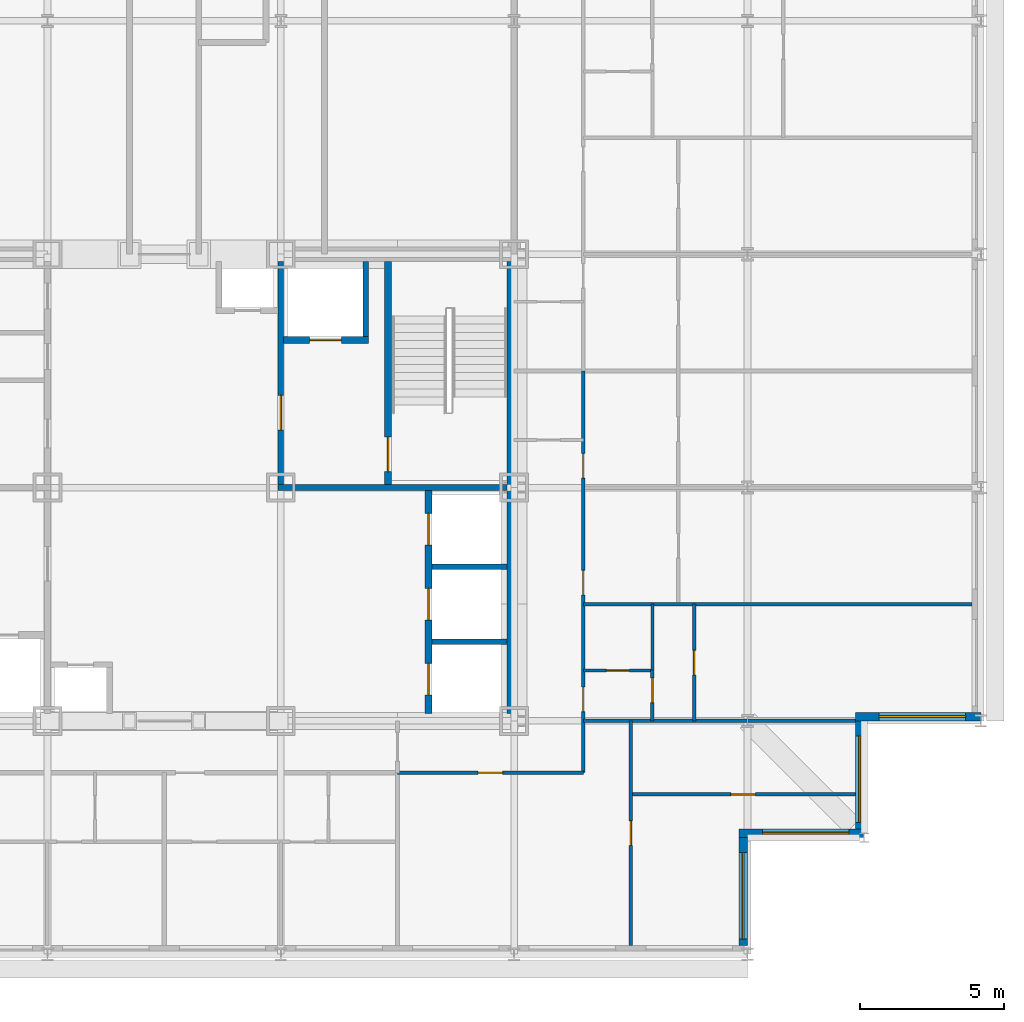
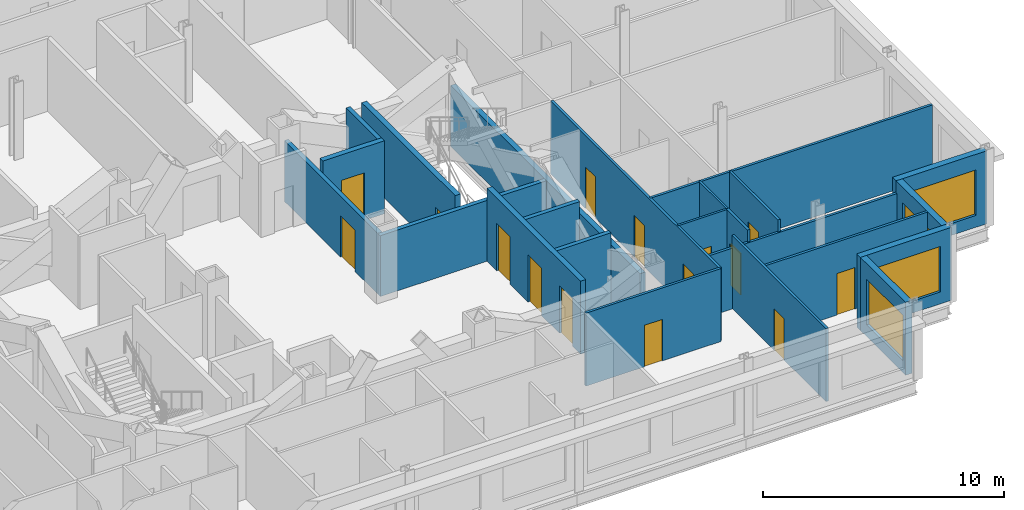
# One storey, part 10 of 15: 23 walls, 15 doors, 4 windows, 19 openings.
"""IFC4 building model written with IfcOpenShell, lengths in metres."""

from ifc_helpers import new_model, si_unit, direction, frame, frame_2d, origin, place, context, subcontext, project, spatial, rectangle, extrude, material, layer, layer_set, type_object, element, fill, save


model = new_model("IFC4")

# Units and contexts
model_context = context("Model", 3, precision=1e-05, world=origin(), true_north=direction((0.0, 1.0)))
body_context = subcontext(model_context, "Body", "Model", "MODEL_VIEW")
ifc_project = project(units=[si_unit("LENGTHUNIT", "METRE"), si_unit("AREAUNIT", "SQUARE_METRE"), si_unit("VOLUMEUNIT", "CUBIC_METRE"), si_unit("PLANEANGLEUNIT", "RADIAN"), si_unit("MASSUNIT", "GRAM", prefix="KILO")], contexts=[model_context])

# Site, building, storey
site_placement = place(None, origin())
site = spatial("IfcSite", under=ifc_project, at=site_placement, CompositionType="ELEMENT")
building_placement = place(site_placement, origin())
building = spatial("IfcBuilding", under=site, at=building_placement, Name="Kopane Lantern Tower", CompositionType="ELEMENT")
storey_placement = place(building_placement, frame((0.0, 0.0, 254.10009765625)))
storey = spatial("IfcBuildingStorey", under=building, at=storey_placement, Name="L65", CompositionType="ELEMENT", Elevation=254.10009765625)

# Wall, openings, doors
ifc_material_1 = material(Name="Gypsum board on steel studs", Category="steel")
ifc_layer_1 = layer(ifc_material_1, 0.1201171875)
ifc_layer_set_1 = layer_set([ifc_layer_1], Name="APARTMENT INTERNAL WALL 120")
wall_type_1 = type_object("IfcWallType", Name="APARTMENT INTERNAL WALL 120", PredefinedType="PARTITIONING", material=ifc_layer_set_1)
wall_1_placement = place(storey_placement, frame((42.89990234375, 22.5, 0.0), z_axis=(0.0, 0.0, 1.0), x_axis=(0.0, 1.0, 0.0)))
wall_1 = element("IfcWall", 1, at=wall_1_placement, inside=storey, type_object=wall_type_1, Name="Apartment Internal Wall 120 L65", PredefinedType="PARTITIONING", context=body_context, shape_type="SweptSolid", body=[
    extrude(rectangle(XDim=13.949951171875, YDim=0.1201171875, at=frame_2d((6.97509765625, 0.0))), origin(), (0.0, 0.0, 1.0), 3.68994140625),
])
opening_1_placement = place(wall_1_placement, frame((2.125, 0.0, 0.0)))
opening_1 = element("IfcOpeningElement", 2, at=opening_1_placement, cuts=wall_1, Name="Opening L65-048", PredefinedType="OPENING", context=body_context, shape_type="SweptSolid", body=[
    extrude(rectangle(XDim=0.85009765625, YDim=2.10009765625, at=frame_2d((0.425048828125, 1.050048828125))), frame((0.0, 0.070068359375, 0.0), z_axis=(0.0, -1.0, 0.0), x_axis=(1.0, 0.0, 0.0)), (0.0, 0.0, 1.0), 0.14013671875),
])
opening_2_placement = place(wall_1_placement, frame((6.175048828125, 0.0, 0.0)))
opening_2 = element("IfcOpeningElement", 3, at=opening_2_placement, cuts=wall_1, Name="Opening L65-049", PredefinedType="OPENING", context=body_context, shape_type="SweptSolid", body=[
    extrude(rectangle(XDim=0.85009765625, YDim=2.10009765625, at=frame_2d((0.425048828125, 1.050048828125))), frame((0.0, 0.070068359375, 0.0), z_axis=(0.0, -1.0, 0.0), x_axis=(1.0, 0.0, 0.0)), (0.0, 0.0, 1.0), 0.14013671875),
])
opening_3_placement = place(wall_1_placement, frame((10.22509765625, 0.0, 0.0)))
opening_3 = element("IfcOpeningElement", 4, at=opening_3_placement, cuts=wall_1, Name="Opening L65-050", PredefinedType="OPENING", context=body_context, shape_type="SweptSolid", body=[
    extrude(rectangle(XDim=0.85009765625, YDim=2.10009765625, at=frame_2d((0.425048828125, 1.050048828125))), frame((0.0, 0.070068359375, 0.0), z_axis=(0.0, -1.0, 0.0), x_axis=(1.0, 0.0, 0.0)), (0.0, 0.0, 1.0), 0.14013671875),
])
ifc_material_2 = material(Name="Timber door set", Category="wood")
door_type_1 = type_object("IfcDoorType", Name="DOOR D4 850x2100", OperationType="SINGLE_SWING_LEFT", PredefinedType="DOOR", material=ifc_material_2)
door_1_placement = place(opening_1_placement, origin())
door_1 = element("IfcDoor", 5, at=door_1_placement, inside=storey, type_object=door_type_1, Name="Door L65-048", OperationType="SINGLE_SWING_RIGHT", OverallHeight=2.10009765625, OverallWidth=0.85009765625, PredefinedType="DOOR", context=body_context, shape_type="SweptSolid", body=[
    extrude(rectangle(XDim=0.85009765625, YDim=2.10009765625, at=frame_2d((0.425048828125, 1.050048828125))), frame((0.0, 0.02490234375, 0.0), z_axis=(0.0, -1.0, 0.0), x_axis=(1.0, 0.0, 0.0)), (0.0, 0.0, 1.0), 0.050048828125),
])
fill(opening_1, door_1)
door_2_placement = place(opening_2_placement, origin())
door_2 = element("IfcDoor", 6, at=door_2_placement, inside=storey, type_object=door_type_1, Name="Door L65-049", OperationType="SINGLE_SWING_RIGHT", OverallHeight=2.10009765625, OverallWidth=0.85009765625, PredefinedType="DOOR", context=body_context, shape_type="SweptSolid", body=[
    extrude(rectangle(XDim=0.85009765625, YDim=2.10009765625, at=frame_2d((0.425048828125, 1.050048828125))), frame((0.0, 0.02490234375, 0.0), z_axis=(0.0, -1.0, 0.0), x_axis=(1.0, 0.0, 0.0)), (0.0, 0.0, 1.0), 0.050048828125),
])
fill(opening_2, door_2)
door_3_placement = place(opening_3_placement, origin())
door_3 = element("IfcDoor", 7, at=door_3_placement, inside=storey, type_object=door_type_1, Name="Door L65-050", OperationType="SINGLE_SWING_RIGHT", OverallHeight=2.10009765625, OverallWidth=0.85009765625, PredefinedType="DOOR", context=body_context, shape_type="SweptSolid", body=[
    extrude(rectangle(XDim=0.85009765625, YDim=2.10009765625, at=frame_2d((0.425048828125, 1.050048828125))), frame((0.0, 0.02490234375, 0.0), z_axis=(0.0, -1.0, 0.0), x_axis=(1.0, 0.0, 0.0)), (0.0, 0.0, 1.0), 0.050048828125),
])
fill(opening_3, door_3)

# Wall, opening, door
wall_2_placement = place(storey_placement, frame((36.449951171875, 22.5, 0.0), z_axis=(0.0, 0.0, 1.0), x_axis=(1.0, 0.0, 0.0)))
wall_2 = element("IfcWall", 8, at=wall_2_placement, inside=storey, type_object=wall_type_1, Name="Apartment Internal Wall 120 L65", PredefinedType="PARTITIONING", context=body_context, shape_type="SweptSolid", body=[
    extrude(rectangle(XDim=6.449951171875, YDim=0.1201171875, at=frame_2d((3.22509765625, 0.0))), origin(), (0.0, 0.0, 1.0), 3.68994140625),
])
opening_4_placement = place(wall_2_placement, frame((2.800048828125, 0.0, 0.0)))
opening_4 = element("IfcOpeningElement", 9, at=opening_4_placement, cuts=wall_2, Name="Opening L65-045", PredefinedType="OPENING", context=body_context, shape_type="SweptSolid", body=[
    extrude(rectangle(XDim=0.85009765625, YDim=2.10009765625, at=frame_2d((0.425048828125, 1.050048828125))), frame((0.0, 0.070068359375, 0.0), z_axis=(0.0, -1.0, 0.0), x_axis=(1.0, 0.0, 0.0)), (0.0, 0.0, 1.0), 0.14013671875),
])
door_4_placement = place(opening_4_placement, origin())
door_4 = element("IfcDoor", 10, at=door_4_placement, inside=storey, type_object=door_type_1, Name="Door L65-045", OperationType="SINGLE_SWING_RIGHT", OverallHeight=2.10009765625, OverallWidth=0.85009765625, PredefinedType="DOOR", context=body_context, shape_type="SweptSolid", body=[
    extrude(rectangle(XDim=0.85009765625, YDim=2.10009765625, at=frame_2d((0.425048828125, 1.050048828125))), frame((0.0, 0.02490234375, 0.0), z_axis=(0.0, -1.0, 0.0), x_axis=(1.0, 0.0, 0.0)), (0.0, 0.0, 1.0), 0.050048828125),
])
fill(opening_4, door_4)

# Wall
wall_3_placement = place(storey_placement, frame((42.89990234375, 24.300048828125, 0.0), z_axis=(0.0, 0.0, 1.0), x_axis=(1.0, 0.0, 0.0)))
element("IfcWall", 11, at=wall_3_placement, inside=storey, type_object=wall_type_1, Name="Apartment Internal Wall 120 L65", PredefinedType="PARTITIONING", context=body_context, shape_type="SweptSolid", body=[
    extrude(rectangle(XDim=9.4501953125, YDim=0.1201171875, at=frame_2d((4.72509765625, 0.0))), origin(), (0.0, 0.0, 1.0), 3.07763671875),
])

# Wall, opening, door
wall_4_placement = place(storey_placement, frame((44.550048828125, 16.5, 0.0), z_axis=(0.0, 0.0, 1.0), x_axis=(0.0, 1.0, 0.0)))
wall_4 = element("IfcWall", 12, at=wall_4_placement, inside=storey, type_object=wall_type_1, Name="Apartment Internal Wall 120 L65", PredefinedType="PARTITIONING", context=body_context, shape_type="SweptSolid", body=[
    extrude(rectangle(XDim=7.800048828125, YDim=0.1201171875, at=frame_2d((3.89990234375, 0.0))), origin(), (0.0, 0.0, 1.0), 3.68994140625),
])
opening_5_placement = place(wall_4_placement, frame((3.47509765625, 0.0, 0.0)))
opening_5 = element("IfcOpeningElement", 13, at=opening_5_placement, cuts=wall_4, Name="Opening L65-046", PredefinedType="OPENING", context=body_context, shape_type="SweptSolid", body=[
    extrude(rectangle(XDim=0.85009765625, YDim=2.10009765625, at=frame_2d((0.425048828125, 1.050048828125))), frame((0.0, 0.070068359375, 0.0), z_axis=(0.0, -1.0, 0.0), x_axis=(1.0, 0.0, 0.0)), (0.0, 0.0, 1.0), 0.14013671875),
])
door_5_placement = place(opening_5_placement, origin())
door_5 = element("IfcDoor", 14, at=door_5_placement, inside=storey, type_object=door_type_1, Name="Door L65-046", OperationType="SINGLE_SWING_LEFT", OverallHeight=2.10009765625, OverallWidth=0.85009765625, PredefinedType="DOOR", context=body_context, shape_type="SweptSolid", body=[
    extrude(rectangle(XDim=0.85009765625, YDim=2.10009765625, at=frame_2d((0.425048828125, 1.050048828125))), frame((0.0, 0.02490234375, 0.0), z_axis=(0.0, -1.0, 0.0), x_axis=(1.0, 0.0, 0.0)), (0.0, 0.0, 1.0), 0.050048828125),
])
fill(opening_5, door_5)

# Wall
wall_5_placement = place(storey_placement, frame((42.89990234375, 28.35009765625, 0.0), z_axis=(0.0, 0.0, 1.0), x_axis=(1.0, 0.0, 0.0)))
element("IfcWall", 15, at=wall_5_placement, inside=storey, type_object=wall_type_1, Name="Apartment Internal Wall 120 L65", PredefinedType="PARTITIONING", context=body_context, shape_type="SweptSolid", body=[
    extrude(rectangle(XDim=13.5, YDim=0.1201171875, at=frame_2d((6.75, 0.0))), origin(), (0.0, 0.0, 1.0), 3.68994140625),
])

# Wall, opening, door
wall_6_placement = place(storey_placement, frame((45.300048828125, 24.300048828125, 0.0), z_axis=(0.0, 0.0, 1.0), x_axis=(0.0, 1.0, 0.0)))
wall_6 = element("IfcWall", 16, at=wall_6_placement, inside=storey, type_object=wall_type_1, Name="Apartment Internal Wall 120 L65", PredefinedType="PARTITIONING", context=body_context, shape_type="SweptSolid", body=[
    extrude(rectangle(XDim=1.760009765625, YDim=0.1201171875, at=frame_2d((0.8798828125, 0.0))), origin(), (0.0, 0.0, 1.0), 3.68994140625),
])
opening_6_placement = place(wall_6_placement, frame((0.635009765625, 0.0, 0.0)))
opening_6 = element("IfcOpeningElement", 17, at=opening_6_placement, cuts=wall_6, Name="Opening L65-063", PredefinedType="OPENING", context=body_context, shape_type="SweptSolid", body=[
    extrude(rectangle(XDim=0.85009765625, YDim=2.10009765625, at=frame_2d((0.425048828125, 1.050048828125))), frame((0.0, 0.070068359375, 0.0), z_axis=(0.0, -1.0, 0.0), x_axis=(1.0, 0.0, 0.0)), (0.0, 0.0, 1.0), 0.14013671875),
])
door_6_placement = place(opening_6_placement, origin())
door_6 = element("IfcDoor", 18, at=door_6_placement, inside=storey, type_object=door_type_1, Name="Door L65-063", OperationType="SINGLE_SWING_RIGHT", OverallHeight=2.10009765625, OverallWidth=0.85009765625, PredefinedType="DOOR", context=body_context, shape_type="SweptSolid", body=[
    extrude(rectangle(XDim=0.85009765625, YDim=2.10009765625, at=frame_2d((0.425048828125, 1.050048828125))), frame((0.0, 0.02490234375, 0.0), z_axis=(0.0, -1.0, 0.0), x_axis=(1.0, 0.0, 0.0)), (0.0, 0.0, 1.0), 0.050048828125),
])
fill(opening_6, door_6)

wall_7_placement = place(storey_placement, frame((44.550048828125, 21.75, 0.0), z_axis=(0.0, 0.0, 1.0), x_axis=(1.0, 0.0, 0.0)))
wall_7 = element("IfcWall", 19, at=wall_7_placement, inside=storey, type_object=wall_type_1, Name="Apartment Internal Wall 120 L65", PredefinedType="PARTITIONING", context=body_context, shape_type="SweptSolid", body=[
    extrude(rectangle(XDim=7.800048828125, YDim=0.1201171875, at=frame_2d((3.89990234375, 0.0))), origin(), (0.0, 0.0, 1.0), 3.68994140625),
])
opening_7_placement = place(wall_7_placement, frame((3.47509765625, 0.0, 0.0)))
opening_7 = element("IfcOpeningElement", 20, at=opening_7_placement, cuts=wall_7, Name="Opening L65-066", PredefinedType="OPENING", context=body_context, shape_type="SweptSolid", body=[
    extrude(rectangle(XDim=0.85009765625, YDim=2.10009765625, at=frame_2d((0.425048828125, 1.050048828125))), frame((0.0, 0.070068359375, 0.0), z_axis=(0.0, -1.0, 0.0), x_axis=(1.0, 0.0, 0.0)), (0.0, 0.0, 1.0), 0.14013671875),
])
door_7_placement = place(opening_7_placement, origin())
door_7 = element("IfcDoor", 21, at=door_7_placement, inside=storey, type_object=door_type_1, Name="Door L65-066", OperationType="SINGLE_SWING_LEFT", OverallHeight=2.10009765625, OverallWidth=0.85009765625, PredefinedType="DOOR", context=body_context, shape_type="SweptSolid", body=[
    extrude(rectangle(XDim=0.85009765625, YDim=2.10009765625, at=frame_2d((0.425048828125, 1.050048828125))), frame((0.0, 0.02490234375, 0.0), z_axis=(0.0, -1.0, 0.0), x_axis=(1.0, 0.0, 0.0)), (0.0, 0.0, 1.0), 0.050048828125),
])
fill(opening_7, door_7)

wall_8_placement = place(storey_placement, frame((46.75, 24.300048828125, 0.0), z_axis=(0.0, 0.0, 1.0), x_axis=(0.0, 1.0, 0.0)))
wall_8 = element("IfcWall", 22, at=wall_8_placement, inside=storey, type_object=wall_type_1, Name="Apartment Internal Wall 120 L65", PredefinedType="PARTITIONING", context=body_context, shape_type="SweptSolid", body=[
    extrude(rectangle(XDim=4.050048828125, YDim=0.1201171875, at=frame_2d((2.02490234375, 0.0))), origin(), (0.0, 0.0, 1.0), 3.68994140625),
])
opening_8_placement = place(wall_8_placement, frame((1.60009765625, 0.0, 0.0)))
opening_8 = element("IfcOpeningElement", 23, at=opening_8_placement, cuts=wall_8, Name="Opening L65-067", PredefinedType="OPENING", context=body_context, shape_type="SweptSolid", body=[
    extrude(rectangle(XDim=0.85009765625, YDim=2.10009765625, at=frame_2d((0.425048828125, 1.050048828125))), frame((0.0, 0.070068359375, 0.0), z_axis=(0.0, -1.0, 0.0), x_axis=(1.0, 0.0, 0.0)), (0.0, 0.0, 1.0), 0.14013671875),
])
door_8_placement = place(opening_8_placement, origin())
door_8 = element("IfcDoor", 24, at=door_8_placement, inside=storey, type_object=door_type_1, Name="Door L65-067", OperationType="SINGLE_SWING_LEFT", OverallHeight=2.10009765625, OverallWidth=0.85009765625, PredefinedType="DOOR", context=body_context, shape_type="SweptSolid", body=[
    extrude(rectangle(XDim=0.85009765625, YDim=2.10009765625, at=frame_2d((0.425048828125, 1.050048828125))), frame((0.0, 0.02490234375, 0.0), z_axis=(0.0, -1.0, 0.0), x_axis=(1.0, 0.0, 0.0)), (0.0, 0.0, 1.0), 0.050048828125),
])
fill(opening_8, door_8)

ifc_material_3 = material(Name="Moisture-resistant board on steel studs", Category="steel")
ifc_layer_2 = layer(ifc_material_3, 0.10009765625)
ifc_layer_set_2 = layer_set([ifc_layer_2], Name="BATHROOM WALL 100")
wall_type_2 = type_object("IfcWallType", Name="BATHROOM WALL 100", PredefinedType="PARTITIONING", material=ifc_layer_set_2)
wall_9_placement = place(storey_placement, frame((42.89990234375, 26.050048828125, 0.0), z_axis=(0.0, 0.0, 1.0), x_axis=(1.0, 0.0, 0.0)))
wall_9 = element("IfcWall", 25, at=wall_9_placement, inside=storey, type_object=wall_type_2, Name="Bathroom Wall 100 L65", PredefinedType="PARTITIONING", context=body_context, shape_type="SweptSolid", body=[
    extrude(rectangle(XDim=2.400146484375, YDim=0.10009765625, at=frame_2d((1.2001953125, 0.0))), origin(), (0.0, 0.0, 1.0), 3.68994140625),
])
opening_9_placement = place(wall_9_placement, frame((0.800048828125, 0.0, 0.0)))
opening_9 = element("IfcOpeningElement", 26, at=opening_9_placement, cuts=wall_9, Name="Opening L65-047", PredefinedType="OPENING", context=body_context, shape_type="SweptSolid", body=[
    extrude(rectangle(XDim=0.800048828125, YDim=2.10009765625, at=frame_2d((0.39990234375, 1.050048828125))), frame((0.0, 0.06005859375, 0.0), z_axis=(0.0, -1.0, 0.0), x_axis=(1.0, 0.0, 0.0)), (0.0, 0.0, 1.0), 0.1201171875),
])
ifc_material_4 = material(Name="Timber door set", Category="wood")
door_type_2 = type_object("IfcDoorType", Name="DOOR D2 800x2100", OperationType="SINGLE_SWING_LEFT", PredefinedType="DOOR", material=ifc_material_4)
door_9_placement = place(opening_9_placement, origin())
door_9 = element("IfcDoor", 27, at=door_9_placement, inside=storey, type_object=door_type_2, Name="Door L65-047", OperationType="SINGLE_SWING_LEFT", OverallHeight=2.10009765625, OverallWidth=0.800048828125, PredefinedType="DOOR", context=body_context, shape_type="SweptSolid", body=[
    extrude(rectangle(XDim=0.800048828125, YDim=2.10009765625, at=frame_2d((0.39990234375, 1.050048828125))), frame((0.0, 0.02490234375, 0.0), z_axis=(0.0, -1.0, 0.0), x_axis=(1.0, 0.0, 0.0)), (0.0, 0.0, 1.0), 0.050048828125),
])
fill(opening_9, door_9)

# Walls
wall_10_placement = place(storey_placement, frame((45.300048828125, 26.050048828125, 0.0), z_axis=(0.0, 0.0, 1.0), x_axis=(0.0, 1.0, 0.0)))
element("IfcWall", 28, at=wall_10_placement, inside=storey, type_object=wall_type_2, Name="Bathroom Wall 100 L65", PredefinedType="PARTITIONING", context=body_context, shape_type="SweptSolid", body=[
    extrude(rectangle(XDim=2.300048828125, YDim=0.10009765625, at=frame_2d((1.14990234375, 0.0))), origin(), (0.0, 0.0, 1.0), 3.68994140625),
])
ifc_material_5 = material(Name="Gypsum shaft wall EI 120", Category="gypsum")
ifc_layer_3 = layer(ifc_material_5, 0.25)
ifc_layer_set_3 = layer_set([ifc_layer_3], Name="CORE SHAFT WALL 250 EI 120")
wall_type_3 = type_object("IfcWallType", Name="CORE SHAFT WALL 250 EI 120", PredefinedType="SOLIDWALL", material=ifc_layer_set_3)
wall_11_placement = place(storey_placement, frame((40.375, 24.550048828125, 0.0), z_axis=(0.0, 0.0, 1.0), x_axis=(0.0, 1.0, 0.0)))
element("IfcWall", 29, at=wall_11_placement, inside=storey, type_object=wall_type_3, Name="Core shaft wall L65 PE", PredefinedType="SOLIDWALL", context=body_context, shape_type="SweptSolid", body=[
    extrude(rectangle(XDim=15.699951171875, YDim=0.25, at=frame_2d((7.85009765625, 0.0))), origin(), (0.0, 0.0, 1.0), 3.07763671875),
])

# Wall, openings, doors
wall_12_placement = place(storey_placement, frame((37.52490234375, 24.550048828125, 0.0), z_axis=(0.0, 0.0, 1.0), x_axis=(0.0, 1.0, 0.0)))
wall_12 = element("IfcWall", 30, at=wall_12_placement, inside=storey, type_object=wall_type_3, Name="Core shaft wall L65 XLR", PredefinedType="SOLIDWALL", context=body_context, shape_type="SweptSolid", body=[
    extrude(rectangle(XDim=7.75, YDim=0.25, at=frame_2d((3.875, 0.0))), origin(), (0.0, 0.0, 1.0), 3.68994140625),
])
opening_10_placement = place(wall_12_placement, frame((0.64990234375, 0.0, 0.0)))
opening_10 = element("IfcOpeningElement", 31, at=opening_10_placement, cuts=wall_12, Name="Opening 65.LD-LR1", PredefinedType="OPENING", context=body_context, shape_type="SweptSolid", body=[
    extrude(rectangle(XDim=1.10009765625, YDim=2.39990234375, at=frame_2d((0.550048828125, 1.199951171875))), frame((0.0, 0.135009765625, 0.0), z_axis=(0.0, -1.0, 0.0), x_axis=(1.0, 0.0, 0.0)), (0.0, 0.0, 1.0), 0.27001953125),
])
opening_11_placement = place(wall_12_placement, frame((3.25, 0.0, 0.0)))
opening_11 = element("IfcOpeningElement", 32, at=opening_11_placement, cuts=wall_12, Name="Opening 65.LD-LR2", PredefinedType="OPENING", context=body_context, shape_type="SweptSolid", body=[
    extrude(rectangle(XDim=1.10009765625, YDim=2.39990234375, at=frame_2d((0.550048828125, 1.199951171875))), frame((0.0, 0.135009765625, 0.0), z_axis=(0.0, -1.0, 0.0), x_axis=(1.0, 0.0, 0.0)), (0.0, 0.0, 1.0), 0.27001953125),
])
opening_12_placement = place(wall_12_placement, frame((5.85009765625, 0.0, 0.0)))
opening_12 = element("IfcOpeningElement", 33, at=opening_12_placement, cuts=wall_12, Name="Opening 65.LD-LR3", PredefinedType="OPENING", context=body_context, shape_type="SweptSolid", body=[
    extrude(rectangle(XDim=1.10009765625, YDim=2.39990234375, at=frame_2d((0.550048828125, 1.199951171875))), frame((0.0, 0.135009765625, 0.0), z_axis=(0.0, -1.0, 0.0), x_axis=(1.0, 0.0, 0.0)), (0.0, 0.0, 1.0), 0.27001953125),
])
ifc_material_6 = material(Name="Steel door set", Category="steel")
door_type_3 = type_object("IfcDoorType", Name="LIFT LANDING DOOR 1100x2400 FD60", OperationType="DOUBLE_DOOR_SLIDING", PredefinedType="DOOR", material=ifc_material_6)
door_10_placement = place(opening_10_placement, origin())
door_10 = element("IfcDoor", 34, at=door_10_placement, inside=storey, type_object=door_type_3, Name="Landing door LR1 L65", OperationType="DOUBLE_DOOR_SLIDING", OverallHeight=2.39990234375, OverallWidth=1.10009765625, PredefinedType="DOOR", context=body_context, shape_type="SweptSolid", body=[
    extrude(rectangle(XDim=1.10009765625, YDim=2.39990234375, at=frame_2d((0.550048828125, 1.199951171875))), frame((0.0, 0.02490234375, 0.0), z_axis=(0.0, -1.0, 0.0), x_axis=(1.0, 0.0, 0.0)), (0.0, 0.0, 1.0), 0.050048828125),
])
fill(opening_10, door_10)
door_11_placement = place(opening_11_placement, origin())
door_11 = element("IfcDoor", 35, at=door_11_placement, inside=storey, type_object=door_type_3, Name="Landing door LR2 L65", OperationType="DOUBLE_DOOR_SLIDING", OverallHeight=2.39990234375, OverallWidth=1.10009765625, PredefinedType="DOOR", context=body_context, shape_type="SweptSolid", body=[
    extrude(rectangle(XDim=1.10009765625, YDim=2.39990234375, at=frame_2d((0.550048828125, 1.199951171875))), frame((0.0, 0.02490234375, 0.0), z_axis=(0.0, -1.0, 0.0), x_axis=(1.0, 0.0, 0.0)), (0.0, 0.0, 1.0), 0.050048828125),
])
fill(opening_11, door_11)
door_12_placement = place(opening_12_placement, origin())
door_12 = element("IfcDoor", 36, at=door_12_placement, inside=storey, type_object=door_type_3, Name="Landing door LR3 L65", OperationType="DOUBLE_DOOR_SLIDING", OverallHeight=2.39990234375, OverallWidth=1.10009765625, PredefinedType="DOOR", context=body_context, shape_type="SweptSolid", body=[
    extrude(rectangle(XDim=1.10009765625, YDim=2.39990234375, at=frame_2d((0.550048828125, 1.199951171875))), frame((0.0, 0.02490234375, 0.0), z_axis=(0.0, -1.0, 0.0), x_axis=(1.0, 0.0, 0.0)), (0.0, 0.0, 1.0), 0.050048828125),
])
fill(opening_12, door_12)

# Wall, opening, door
wall_13_placement = place(storey_placement, frame((36.125, 32.5, 0.0), z_axis=(0.0, 0.0, 1.0), x_axis=(0.0, 1.0, 0.0)))
wall_13 = element("IfcWall", 37, at=wall_13_placement, inside=storey, type_object=wall_type_3, Name="Core shaft wall L65 XST2", PredefinedType="SOLIDWALL", context=body_context, shape_type="SweptSolid", body=[
    extrude(rectangle(XDim=7.75, YDim=0.25, at=frame_2d((3.875, 0.0))), origin(), (0.0, 0.0, 1.0), 3.68994140625),
])
opening_13_placement = place(wall_13_placement, frame((0.449951171875, 0.0, 0.0)))
opening_13 = element("IfcOpeningElement", 38, at=opening_13_placement, cuts=wall_13, Name="Opening 65.SD2", PredefinedType="OPENING", context=body_context, shape_type="SweptSolid", body=[
    extrude(rectangle(XDim=1.199951171875, YDim=2.10009765625, at=frame_2d((0.60009765625, 1.050048828125))), frame((0.0, 0.135009765625, 0.0), z_axis=(0.0, -1.0, 0.0), x_axis=(1.0, 0.0, 0.0)), (0.0, 0.0, 1.0), 0.27001953125),
])
ifc_material_7 = material(Name="Steel door set", Category="steel")
door_type_4 = type_object("IfcDoorType", Name="STAIR DOOR 1200x2100 FD60S", OperationType="SINGLE_SWING_LEFT", PredefinedType="DOOR", material=ifc_material_7)
door_13_placement = place(opening_13_placement, origin())
door_13 = element("IfcDoor", 39, at=door_13_placement, inside=storey, type_object=door_type_4, Name="Stair door ST2 L65", OperationType="SINGLE_SWING_RIGHT", OverallHeight=2.10009765625, OverallWidth=1.199951171875, PredefinedType="DOOR", context=body_context, shape_type="SweptSolid", body=[
    extrude(rectangle(XDim=1.199951171875, YDim=2.10009765625, at=frame_2d((0.60009765625, 1.050048828125))), frame((0.0, 0.02490234375, 0.0), z_axis=(0.0, -1.0, 0.0), x_axis=(1.0, 0.0, 0.0)), (0.0, 0.0, 1.0), 0.050048828125),
])
fill(opening_13, door_13)

wall_14_placement = place(storey_placement, frame((32.5, 37.52490234375, 0.0), z_axis=(0.0, 0.0, 1.0), x_axis=(1.0, 0.0, 0.0)))
wall_14 = element("IfcWall", 40, at=wall_14_placement, inside=storey, type_object=wall_type_3, Name="Core shaft wall L65 YLF2", PredefinedType="SOLIDWALL", context=body_context, shape_type="SweptSolid", body=[
    extrude(rectangle(XDim=2.949951171875, YDim=0.25, at=frame_2d((1.47509765625, 0.0))), origin(), (0.0, 0.0, 1.0), 3.68994140625),
])
opening_14_placement = place(wall_14_placement, frame((0.89990234375, 0.0, 0.0)))
opening_14 = element("IfcOpeningElement", 41, at=opening_14_placement, cuts=wall_14, Name="Opening 65.LD-LF2", PredefinedType="OPENING", context=body_context, shape_type="SweptSolid", body=[
    extrude(rectangle(XDim=1.10009765625, YDim=2.39990234375, at=frame_2d((0.550048828125, 1.199951171875))), frame((0.0, 0.135009765625, 0.0), z_axis=(0.0, -1.0, 0.0), x_axis=(1.0, 0.0, 0.0)), (0.0, 0.0, 1.0), 0.27001953125),
])
door_14_placement = place(opening_14_placement, origin())
door_14 = element("IfcDoor", 42, at=door_14_placement, inside=storey, type_object=door_type_3, Name="Landing door LF2 L65", OperationType="DOUBLE_DOOR_SLIDING", OverallHeight=2.39990234375, OverallWidth=1.10009765625, PredefinedType="DOOR", context=body_context, shape_type="SweptSolid", body=[
    extrude(rectangle(XDim=1.10009765625, YDim=2.39990234375, at=frame_2d((0.550048828125, 1.199951171875))), frame((0.0, 0.02490234375, 0.0), z_axis=(0.0, -1.0, 0.0), x_axis=(1.0, 0.0, 0.0)), (0.0, 0.0, 1.0), 0.050048828125),
])
fill(opening_14, door_14)

# Wall, opening, window
ifc_material_8 = material(Name="Terracotta rainscreen on light steel framing", Category="masonry")
ifc_layer_4 = layer(ifc_material_8, 0.300048828125)
ifc_layer_set_4 = layer_set([ifc_layer_4], Name="EXTERNAL WALL EW1 300 TERRACOTTA")
wall_type_4 = type_object("IfcWallType", Name="EXTERNAL WALL EW1 300 TERRACOTTA", PredefinedType="SOLIDWALL", material=ifc_layer_set_4)
wall_15_placement = place(storey_placement, frame((48.449951171875, 16.5, 0.0), z_axis=(0.0, 0.0, 1.0), x_axis=(0.0, 1.0, 0.0)))
wall_15 = element("IfcWall", 43, at=wall_15_placement, inside=storey, type_object=wall_type_4, Name="External wall E L65", PredefinedType="SOLIDWALL", context=body_context, shape_type="SweptSolid", body=[
    extrude(rectangle(XDim=3.75, YDim=0.300048828125, at=frame_2d((1.875, 0.0))), origin(), (0.0, 0.0, 1.0), 3.68994140625),
])
opening_15_placement = place(wall_15_placement, frame((0.22509765625, 0.0, 0.60009765625)))
opening_15 = element("IfcOpeningElement", 44, at=opening_15_placement, cuts=wall_15, Name="Opening WR300230", PredefinedType="OPENING", context=body_context, shape_type="SweptSolid", body=[
    extrude(rectangle(XDim=3.0, YDim=2.300048828125, at=frame_2d((1.5, 1.14990234375))), frame((0.0, 0.159912109375, 0.0), z_axis=(0.0, -1.0, 0.0), x_axis=(1.0, 0.0, 0.0)), (0.0, 0.0, 1.0), 0.320068359375),
])
ifc_material_9 = material(Name="Aluminium and clear glass", Category="aluminium")
window_type = type_object("IfcWindowType", Name="RIBBON WINDOW WR300230 3000x2300", PartitioningType="SINGLE_PANEL", PredefinedType="WINDOW", material=ifc_material_9)
window_1_placement = place(opening_15_placement, origin())
window_1 = element("IfcWindow", 45, at=window_1_placement, inside=storey, type_object=window_type, Name="Window E L65", OverallHeight=2.300048828125, OverallWidth=3.0, PartitioningType="SINGLE_PANEL", PredefinedType="WINDOW", context=body_context, shape_type="SweptSolid", body=[
    extrude(rectangle(XDim=3.0, YDim=2.300048828125, at=frame_2d((1.5, 1.14990234375))), frame((0.0, 0.030029296875, 0.0), z_axis=(0.0, -1.0, 0.0), x_axis=(1.0, 0.0, 0.0)), (0.0, 0.0, 1.0), 0.06005859375),
])
fill(opening_15, window_1)

wall_16_placement = place(storey_placement, frame((48.300048828125, 20.39990234375, 0.0), z_axis=(0.0, 0.0, 1.0), x_axis=(1.0, 0.0, 0.0)))
wall_16 = element("IfcWall", 46, at=wall_16_placement, inside=storey, type_object=wall_type_4, Name="External wall S L65", PredefinedType="SOLIDWALL", context=body_context, shape_type="SweptSolid", body=[
    extrude(rectangle(XDim=4.349853515625, YDim=0.300048828125, at=frame_2d((2.1748046875, 0.0))), origin(), (0.0, 0.0, 1.0), 3.68994140625),
])
opening_16_placement = place(wall_16_placement, frame((0.824951171875, 0.0, 0.60009765625)))
opening_16 = element("IfcOpeningElement", 47, at=opening_16_placement, cuts=wall_16, Name="Opening WR300230", PredefinedType="OPENING", context=body_context, shape_type="SweptSolid", body=[
    extrude(rectangle(XDim=3.0, YDim=2.300048828125, at=frame_2d((1.5, 1.14990234375))), frame((0.0, 0.159912109375, 0.0), z_axis=(0.0, -1.0, 0.0), x_axis=(1.0, 0.0, 0.0)), (0.0, 0.0, 1.0), 0.320068359375),
])
window_2_placement = place(opening_16_placement, origin())
window_2 = element("IfcWindow", 48, at=window_2_placement, inside=storey, type_object=window_type, Name="Window S L65", OverallHeight=2.300048828125, OverallWidth=3.0, PartitioningType="SINGLE_PANEL", PredefinedType="WINDOW", context=body_context, shape_type="SweptSolid", body=[
    extrude(rectangle(XDim=3.0, YDim=2.300048828125, at=frame_2d((1.5, 1.14990234375))), frame((0.0, 0.030029296875, 0.0), z_axis=(0.0, -1.0, 0.0), x_axis=(1.0, 0.0, 0.0)), (0.0, 0.0, 1.0), 0.06005859375),
])
fill(opening_16, window_2)

wall_17_placement = place(storey_placement, frame((52.5, 20.550048828125, 0.0), z_axis=(0.0, 0.0, 1.0), x_axis=(0.0, 1.0, 0.0)))
wall_17 = element("IfcWall", 49, at=wall_17_placement, inside=storey, type_object=wall_type_4, Name="External wall E L65", PredefinedType="SOLIDWALL", context=body_context, shape_type="SweptSolid", body=[
    extrude(rectangle(XDim=3.75, YDim=0.300048828125, at=frame_2d((1.875, 0.0))), origin(), (0.0, 0.0, 1.0), 3.68994140625),
])
opening_17_placement = place(wall_17_placement, frame((0.22509765625, 0.0, 0.60009765625)))
opening_17 = element("IfcOpeningElement", 50, at=opening_17_placement, cuts=wall_17, Name="Opening WR300230", PredefinedType="OPENING", context=body_context, shape_type="SweptSolid", body=[
    extrude(rectangle(XDim=3.0, YDim=2.300048828125, at=frame_2d((1.5, 1.14990234375))), frame((0.0, 0.159912109375, 0.0), z_axis=(0.0, -1.0, 0.0), x_axis=(1.0, 0.0, 0.0)), (0.0, 0.0, 1.0), 0.320068359375),
])
window_3_placement = place(opening_17_placement, origin())
window_3 = element("IfcWindow", 51, at=window_3_placement, inside=storey, type_object=window_type, Name="Window E L65", OverallHeight=2.300048828125, OverallWidth=3.0, PartitioningType="SINGLE_PANEL", PredefinedType="WINDOW", context=body_context, shape_type="SweptSolid", body=[
    extrude(rectangle(XDim=3.0, YDim=2.300048828125, at=frame_2d((1.5, 1.14990234375))), frame((0.0, 0.030029296875, 0.0), z_axis=(0.0, -1.0, 0.0), x_axis=(1.0, 0.0, 0.0)), (0.0, 0.0, 1.0), 0.06005859375),
])
fill(opening_17, window_3)

wall_18_placement = place(storey_placement, frame((52.35009765625, 24.449951171875, 0.0), z_axis=(0.0, 0.0, 1.0), x_axis=(1.0, 0.0, 0.0)))
wall_18 = element("IfcWall", 52, at=wall_18_placement, inside=storey, type_object=wall_type_4, Name="External wall S L65", PredefinedType="SOLIDWALL", context=body_context, shape_type="SweptSolid", body=[
    extrude(rectangle(XDim=4.349853515625, YDim=0.300048828125, at=frame_2d((2.1748046875, 0.0))), origin(), (0.0, 0.0, 1.0), 3.68994140625),
])
opening_18_placement = place(wall_18_placement, frame((0.824951171875, 0.0, 0.60009765625)))
opening_18 = element("IfcOpeningElement", 53, at=opening_18_placement, cuts=wall_18, Name="Opening WR300230", PredefinedType="OPENING", context=body_context, shape_type="SweptSolid", body=[
    extrude(rectangle(XDim=3.0, YDim=2.300048828125, at=frame_2d((1.5, 1.14990234375))), frame((0.0, 0.159912109375, 0.0), z_axis=(0.0, -1.0, 0.0), x_axis=(1.0, 0.0, 0.0)), (0.0, 0.0, 1.0), 0.320068359375),
])
window_4_placement = place(opening_18_placement, origin())
window_4 = element("IfcWindow", 54, at=window_4_placement, inside=storey, type_object=window_type, Name="Window S L65", OverallHeight=2.300048828125, OverallWidth=3.0, PartitioningType="SINGLE_PANEL", PredefinedType="WINDOW", context=body_context, shape_type="SweptSolid", body=[
    extrude(rectangle(XDim=3.0, YDim=2.300048828125, at=frame_2d((1.5, 1.14990234375))), frame((0.0, 0.030029296875, 0.0), z_axis=(0.0, -1.0, 0.0), x_axis=(1.0, 0.0, 0.0)), (0.0, 0.0, 1.0), 0.06005859375),
])
fill(opening_18, window_4)

# Wall
ifc_material_10 = material(Name="Gypsum shaft wall EI 120", Category="gypsum")
ifc_layer_5 = layer(ifc_material_10, 0.199951171875)
ifc_layer_set_5 = layer_set([ifc_layer_5], Name="SHAFT WALL 200 EI 120")
wall_type_5 = type_object("IfcWallType", Name="SHAFT WALL 200 EI 120", PredefinedType="SOLIDWALL", material=ifc_layer_set_5)
wall_19_placement = place(storey_placement, frame((32.300048828125, 32.39990234375, 0.0), z_axis=(0.0, 0.0, 1.0), x_axis=(1.0, 0.0, 0.0)))
element("IfcWall", 55, at=wall_19_placement, inside=storey, type_object=wall_type_5, Name="Core shaft wall L65 Y324E", PredefinedType="SOLIDWALL", context=body_context, shape_type="SweptSolid", body=[
    extrude(rectangle(XDim=7.949951171875, YDim=0.199951171875, at=frame_2d((3.97509765625, 0.0))), origin(), (0.0, 0.0, 1.0), 3.07763671875),
])

# Wall, opening, door
wall_20_placement = place(storey_placement, frame((32.39990234375, 32.5, 0.0), z_axis=(0.0, 0.0, 1.0), x_axis=(0.0, 1.0, 0.0)))
wall_20 = element("IfcWall", 56, at=wall_20_placement, inside=storey, type_object=wall_type_5, Name="Core shaft wall L65 X324", PredefinedType="SOLIDWALL", context=body_context, shape_type="SweptSolid", body=[
    extrude(rectangle(XDim=7.75, YDim=0.199951171875, at=frame_2d((3.875, 0.0))), origin(), (0.0, 0.0, 1.0), 3.07763671875),
])
opening_19_placement = place(wall_20_placement, frame((1.89990234375, 0.0, 0.0)))
opening_19 = element("IfcOpeningElement", 57, at=opening_19_placement, cuts=wall_20, Name="Opening 65.FL2", PredefinedType="OPENING", context=body_context, shape_type="SweptSolid", body=[
    extrude(rectangle(XDim=1.199951171875, YDim=2.10009765625, at=frame_2d((0.60009765625, 1.050048828125))), frame((0.0, 0.10986328125, 0.0), z_axis=(0.0, -1.0, 0.0), x_axis=(1.0, 0.0, 0.0)), (0.0, 0.0, 1.0), 0.219970703125),
])
ifc_material_11 = material(Name="Steel door set", Category="steel")
door_type_5 = type_object("IfcDoorType", Name="FIREFIGHTING LOBBY DOOR 1200x2100 FD60S", OperationType="SINGLE_SWING_RIGHT", PredefinedType="DOOR", material=ifc_material_11)
door_15_placement = place(opening_19_placement, origin())
door_15 = element("IfcDoor", 58, at=door_15_placement, inside=storey, type_object=door_type_5, Name="Firefighting lobby door FL2 L65", OperationType="SINGLE_SWING_LEFT", OverallHeight=2.10009765625, OverallWidth=1.199951171875, PredefinedType="DOOR", context=body_context, shape_type="SweptSolid", body=[
    extrude(rectangle(XDim=1.199951171875, YDim=2.10009765625, at=frame_2d((0.60009765625, 1.050048828125))), frame((0.0, 0.02490234375, 0.0), z_axis=(0.0, -1.0, 0.0), x_axis=(1.0, 0.0, 0.0)), (0.0, 0.0, 1.0), 0.050048828125),
])
fill(opening_19, door_15)

# Walls
for number, where, z_axis, x_axis, name in (
    (59, (37.64990234375, 27.050048828125, 0.0), (0.0, 0.0, 1.0), (1.0, 0.0, 0.0), "Core shaft wall L65 YLR12"),
    (60, (37.64990234375, 29.64990234375, 0.0), (0.0, 0.0, 1.0), (1.0, 0.0, 0.0), "Core shaft wall L65 YLR23"),
    (61, (35.35009765625, 37.64990234375, 0.0), (0.0, 0.0, 1.0), (0.0, 1.0, 0.0), "Core shaft wall L65 XLF2"),
):
    element("IfcWall", number, at=place(storey_placement, frame(where, z_axis=z_axis, x_axis=x_axis)), inside=storey, type_object=wall_type_5, Name=name, PredefinedType="SOLIDWALL", context=body_context, shape_type="SweptSolid", body=[
        extrude(rectangle(XDim=2.60009765625, YDim=0.199951171875, at=frame_2d((1.300048828125, 0.0))), origin(), (0.0, 0.0, 1.0), 3.68994140625),
    ])

save(model, "model.ifc")
